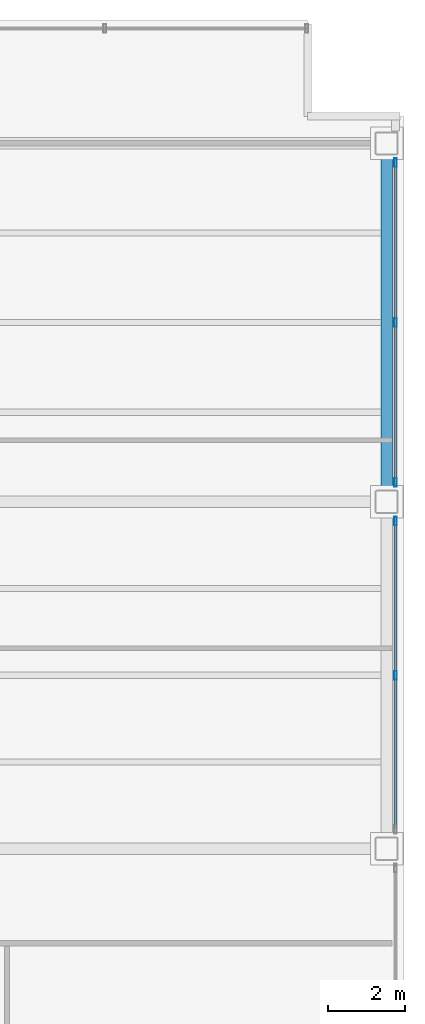
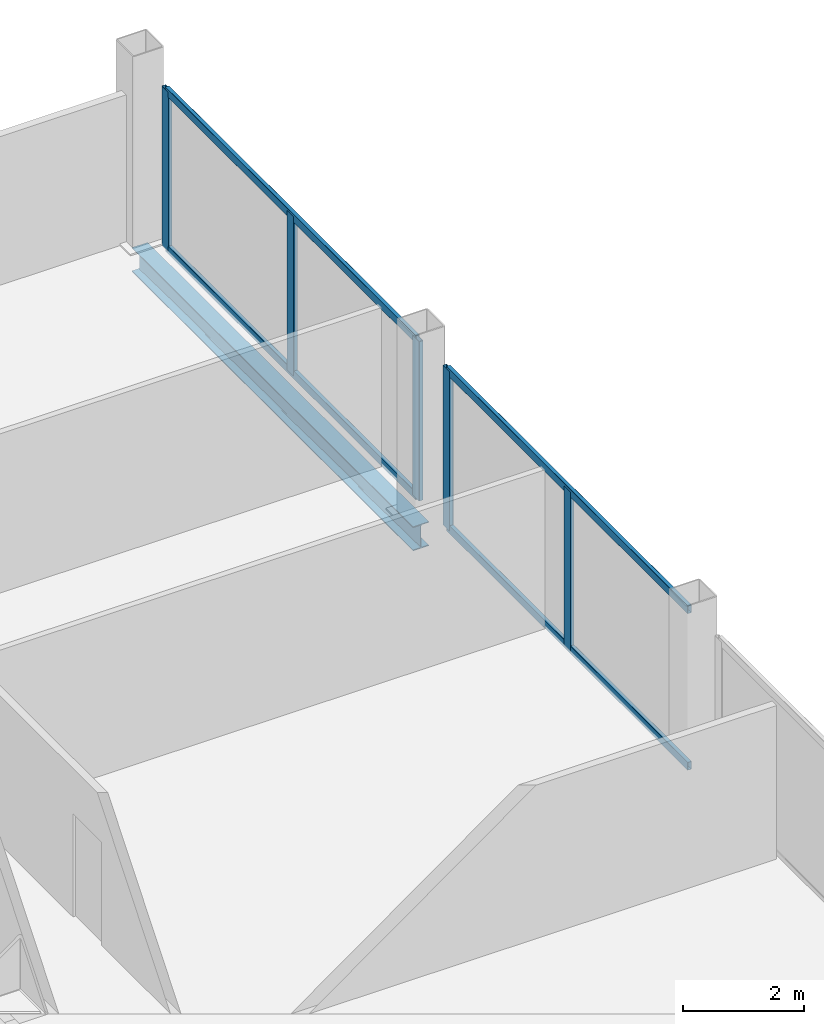
# One storey, part 13 of 21: 9 members, 1 beam, 2 elements without a shape of their own.
"""IFC4 building model written with IfcOpenShell, lengths in metres."""

from ifc_helpers import new_model, si_unit, direction, frame, origin, origin_2d, place, context, subcontext, project, spatial, hollow_rectangle, i_section, extrude, material, material_profile, profile_set, type_object, element, aggregate, save


model = new_model("IFC4")

# Units and contexts
model_context = context("Model", 3, precision=1e-05, world=origin(), true_north=direction((0.0, 1.0)))
body_context = subcontext(model_context, "Body", "Model", "MODEL_VIEW")
ifc_project = project(units=[si_unit("LENGTHUNIT", "METRE"), si_unit("AREAUNIT", "SQUARE_METRE"), si_unit("VOLUMEUNIT", "CUBIC_METRE"), si_unit("PLANEANGLEUNIT", "RADIAN"), si_unit("MASSUNIT", "GRAM", prefix="KILO")], contexts=[model_context])

# Site, building, storey
site_placement = place(None, origin())
site = spatial("IfcSite", under=ifc_project, at=site_placement, CompositionType="ELEMENT")
building_placement = place(site_placement, origin())
building = spatial("IfcBuilding", under=site, at=building_placement, Name="Noeulbin Bourse Tower", CompositionType="ELEMENT")
storey_placement = place(building_placement, frame((0.0, 0.0, 92.800048828125)))
storey = spatial("IfcBuildingStorey", under=building, at=storey_placement, Name="L23", CompositionType="ELEMENT", Elevation=92.800048828125)

# Beam
ifc_material_1 = material(Name="Steel S355", Category="steel")
ifc_material_profile_1 = material_profile(ifc_material_1, i_section(OverallWidth=0.300048828125, OverallDepth=0.488037109375, WebThickness=0.010986328125, FlangeThickness=0.01806640625, FilletRadius=0.02197265625, at=origin_2d()), Name="H-488x300x11x18", Category="LoadBearing")
ifc_profile_set_1 = profile_set([ifc_material_profile_1], Name="Steel S355")
beam_type = type_object("IfcBeamType", Name="BM-SPN-488", PredefinedType="SPANDREL", material=ifc_profile_set_1)
beam_placement = place(storey_placement, frame((57.050048828125, 29.0, -0.424072265625), z_axis=(0.0, 1.0, 0.0), x_axis=(-1.0, 0.0, 0.0)))
element("IfcBeam", 1, at=beam_placement, inside=storey, type_object=beam_type, Name="East Spandrel L23-2", PredefinedType="SPANDREL", context=body_context, shape_type="SweptSolid", body=[
    extrude(i_section(OverallWidth=0.300048828125, OverallDepth=0.488037109375, WebThickness=0.010986328125, FlangeThickness=0.01806640625, FilletRadius=0.02197265625, at=origin_2d()), origin(), (0.0, 0.0, 1.0), 9.300048828125),
])

# Curtain wall, members
ifc_material_2 = material(Name="Dark Solar-Control Double Glazing", Category="glass")
curtain_wall_type = type_object("IfcCurtainWallType", Name="CW-SYS-2", PredefinedType="NOTDEFINED", material=ifc_material_2)
curtain_wall_1_placement = place(storey_placement, origin())
curtain_wall_1 = element("IfcCurtainWall", 2, at=curtain_wall_1_placement, inside=storey, type_object=curtain_wall_type, Name="Unitised Curtain Wall CW-L23-E-S2", PredefinedType="NOTDEFINED")
ifc_material_3 = material(Name="Anodised Aluminium 6063-T6", Category="aluminium")
ifc_material_profile_2 = material_profile(ifc_material_3, hollow_rectangle(XDim=0.074951171875, YDim=0.219970703125, WallThickness=0.0048828125, InnerFilletRadius=0.00244140625, OuterFilletRadius=0.0048828125, at=origin_2d()), Name="ALU-MULL-75x220x5", Category="LoadBearing")
ifc_profile_set_2 = profile_set([ifc_material_profile_2], Name="Anodised Aluminium 6063-T6")
member_type_1 = type_object("IfcMemberType", Name="CW-SYS-2-MUL", PredefinedType="MULLION", material=ifc_profile_set_2)
member_1_placement = place(storey_placement, frame((57.280029296875, 24.5, -0.02001953125), z_axis=(0.0, 0.0, 1.0), x_axis=(1.0, 0.0, 0.0)))
member_1 = element("IfcMember", 3, at=member_1_placement, type_object=member_type_1, Name="Curtain Wall Mullion CW-L23-E-S2-M01", PredefinedType="MULLION", context=body_context, shape_type="SweptSolid", body=[
    extrude(hollow_rectangle(XDim=0.074951171875, YDim=0.219970703125, WallThickness=0.0048828125, InnerFilletRadius=0.00244140625, OuterFilletRadius=0.0048828125, at=origin_2d()), origin(), (0.0, 0.0, 1.0), 3.219970703125),
])
member_2_placement = place(storey_placement, frame((57.280029296875, 28.5, -0.02001953125), z_axis=(0.0, 0.0, 1.0), x_axis=(1.0, 0.0, 0.0)))
member_2 = element("IfcMember", 4, at=member_2_placement, type_object=member_type_1, Name="Curtain Wall Mullion CW-L23-E-S2-M02", PredefinedType="MULLION", context=body_context, shape_type="SweptSolid", body=[
    extrude(hollow_rectangle(XDim=0.074951171875, YDim=0.219970703125, WallThickness=0.0048828125, InnerFilletRadius=0.00244140625, OuterFilletRadius=0.0048828125, at=origin_2d()), origin(), (0.0, 0.0, 1.0), 3.219970703125),
])

curtain_wall_2_placement = place(storey_placement, origin())
curtain_wall_2 = element("IfcCurtainWall", 5, at=curtain_wall_2_placement, inside=storey, type_object=curtain_wall_type, Name="Unitised Curtain Wall CW-L23-E-S3", PredefinedType="NOTDEFINED")
member_3_placement = place(storey_placement, frame((57.280029296875, 29.5, -0.02001953125), z_axis=(0.0, 0.0, 1.0), x_axis=(1.0, 0.0, 0.0)))
member_3 = element("IfcMember", 6, at=member_3_placement, type_object=member_type_1, Name="Curtain Wall Mullion CW-L23-E-S3-M00", PredefinedType="MULLION", context=body_context, shape_type="SweptSolid", body=[
    extrude(hollow_rectangle(XDim=0.074951171875, YDim=0.219970703125, WallThickness=0.0048828125, InnerFilletRadius=0.00244140625, OuterFilletRadius=0.0048828125, at=origin_2d()), origin(), (0.0, 0.0, 1.0), 3.219970703125),
])
member_4_placement = place(storey_placement, frame((57.280029296875, 33.64990234375, -0.02001953125), z_axis=(0.0, 0.0, 1.0), x_axis=(1.0, 0.0, 0.0)))
member_4 = element("IfcMember", 7, at=member_4_placement, type_object=member_type_1, Name="Curtain Wall Mullion CW-L23-E-S3-M01", PredefinedType="MULLION", context=body_context, shape_type="SweptSolid", body=[
    extrude(hollow_rectangle(XDim=0.074951171875, YDim=0.219970703125, WallThickness=0.0048828125, InnerFilletRadius=0.00244140625, OuterFilletRadius=0.0048828125, at=origin_2d()), origin(), (0.0, 0.0, 1.0), 3.219970703125),
])
member_5_placement = place(storey_placement, frame((57.280029296875, 37.800048828125, -0.02001953125), z_axis=(0.0, 0.0, 1.0), x_axis=(1.0, 0.0, 0.0)))
member_5 = element("IfcMember", 8, at=member_5_placement, type_object=member_type_1, Name="Curtain Wall Mullion CW-L23-E-S3-M02", PredefinedType="MULLION", context=body_context, shape_type="SweptSolid", body=[
    extrude(hollow_rectangle(XDim=0.074951171875, YDim=0.219970703125, WallThickness=0.0048828125, InnerFilletRadius=0.00244140625, OuterFilletRadius=0.0048828125, at=origin_2d()), origin(), (0.0, 0.0, 1.0), 3.219970703125),
])

# Member
ifc_material_profile_3 = material_profile(ifc_material_3, hollow_rectangle(XDim=0.074951171875, YDim=0.159912109375, WallThickness=0.0048828125, InnerFilletRadius=0.00244140625, OuterFilletRadius=0.0048828125, at=origin_2d()), Name="ALU-TRAN-75x160x5", Category="LoadBearing")
ifc_profile_set_3 = profile_set([ifc_material_profile_3], Name="Anodised Aluminium 6063-T6")
member_type_2 = type_object("IfcMemberType", Name="CW-SYS-2-TRN", PredefinedType="USERDEFINED", material=ifc_profile_set_3)
member_6_placement = place(storey_placement, frame((57.280029296875, 20.510009765625, 0.010009765625), z_axis=(0.0, 1.0, 0.0), x_axis=(-1.0, 0.0, 0.0)))
member_6 = element("IfcMember", 9, at=member_6_placement, type_object=member_type_2, Name="Curtain Wall Transom CW-L23-E-S2-T00", ObjectType="TRANSOM", PredefinedType="USERDEFINED", context=body_context, shape_type="SweptSolid", body=[
    extrude(hollow_rectangle(XDim=0.074951171875, YDim=0.159912109375, WallThickness=0.0048828125, InnerFilletRadius=0.00244140625, OuterFilletRadius=0.0048828125, at=origin_2d()), origin(), (0.0, 0.0, 1.0), 7.97998046875),
])

member_7_placement = place(storey_placement, frame((57.280029296875, 20.510009765625, 3.169921875), z_axis=(0.0, 1.0, 0.0), x_axis=(-1.0, 0.0, 0.0)))
member_7 = element("IfcMember", 10, at=member_7_placement, type_object=member_type_2, Name="Curtain Wall Transom CW-L23-E-S2-T01", ObjectType="TRANSOM", PredefinedType="USERDEFINED", context=body_context, shape_type="SweptSolid", body=[
    extrude(hollow_rectangle(XDim=0.074951171875, YDim=0.159912109375, WallThickness=0.0048828125, InnerFilletRadius=0.00244140625, OuterFilletRadius=0.0048828125, at=origin_2d()), origin(), (0.0, 0.0, 1.0), 7.97998046875),
])

aggregate(curtain_wall_1, [member_1, member_2, member_6, member_7])

member_8_placement = place(storey_placement, frame((57.280029296875, 29.510009765625, 0.010009765625), z_axis=(0.0, 1.0, 0.0), x_axis=(-1.0, 0.0, 0.0)))
member_8 = element("IfcMember", 11, at=member_8_placement, type_object=member_type_2, Name="Curtain Wall Transom CW-L23-E-S3-T00", ObjectType="TRANSOM", PredefinedType="USERDEFINED", context=body_context, shape_type="SweptSolid", body=[
    extrude(hollow_rectangle(XDim=0.074951171875, YDim=0.159912109375, WallThickness=0.0048828125, InnerFilletRadius=0.00244140625, OuterFilletRadius=0.0048828125, at=origin_2d()), origin(), (0.0, 0.0, 1.0), 8.280029296875),
])

member_9_placement = place(storey_placement, frame((57.280029296875, 29.510009765625, 3.169921875), z_axis=(0.0, 1.0, 0.0), x_axis=(-1.0, 0.0, 0.0)))
member_9 = element("IfcMember", 12, at=member_9_placement, type_object=member_type_2, Name="Curtain Wall Transom CW-L23-E-S3-T01", ObjectType="TRANSOM", PredefinedType="USERDEFINED", context=body_context, shape_type="SweptSolid", body=[
    extrude(hollow_rectangle(XDim=0.074951171875, YDim=0.159912109375, WallThickness=0.0048828125, InnerFilletRadius=0.00244140625, OuterFilletRadius=0.0048828125, at=origin_2d()), origin(), (0.0, 0.0, 1.0), 8.280029296875),
])

aggregate(curtain_wall_2, [member_3, member_4, member_5, member_8, member_9])

save(model, "model.ifc")
